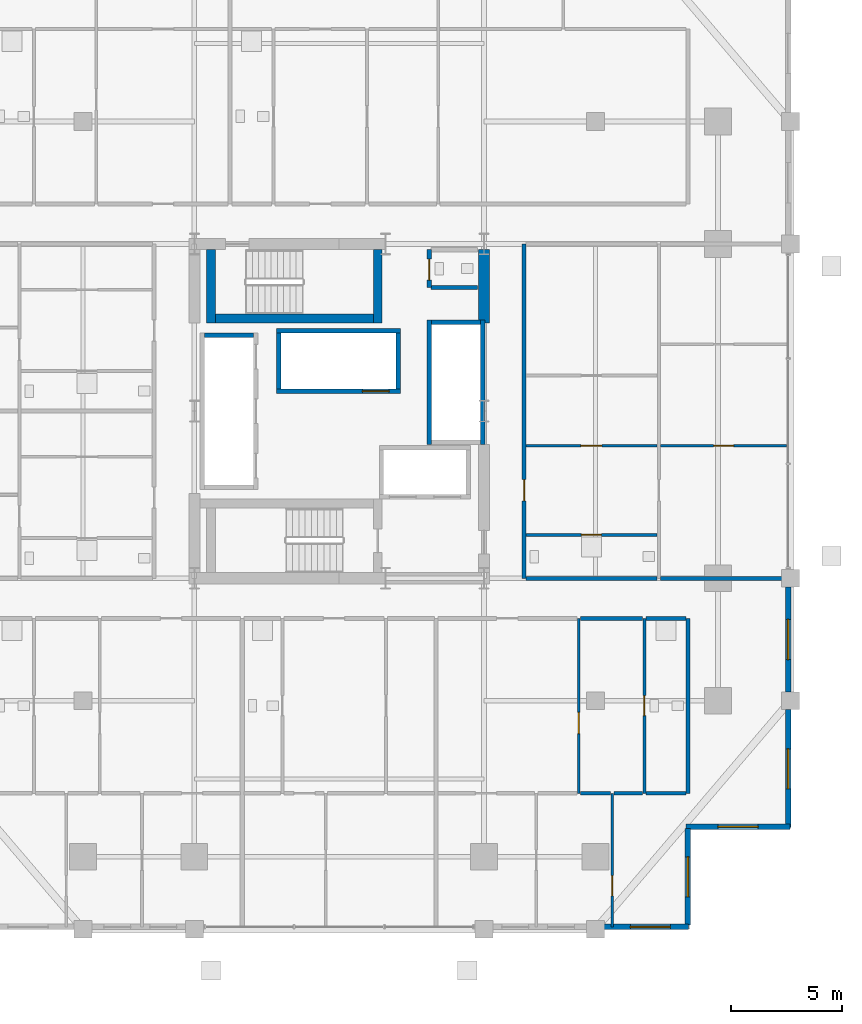
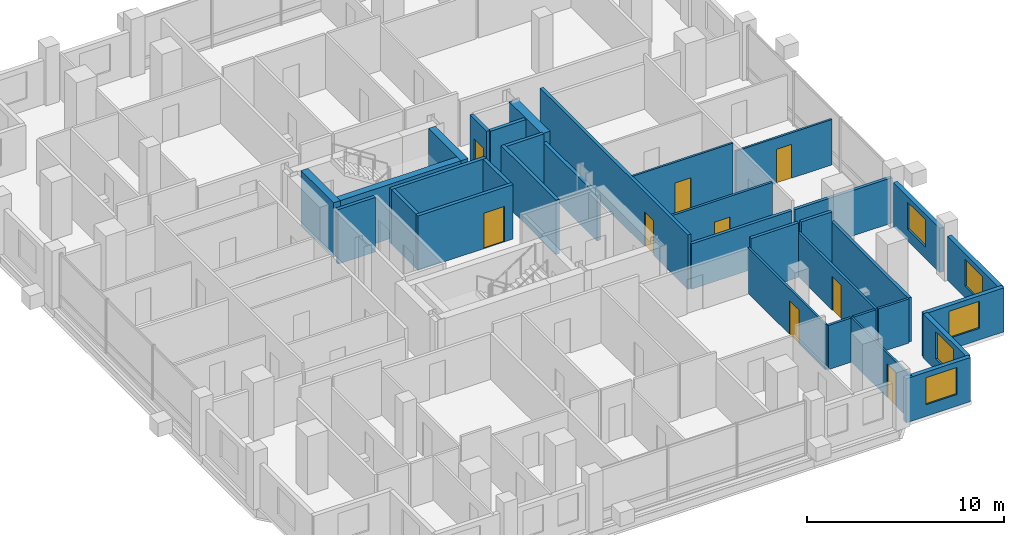
# One storey, part 16 of 20: 34 walls, 9 doors, 5 windows, 14 openings.
"""IFC4 building model written with IfcOpenShell, lengths in metres."""

from ifc_helpers import new_model, si_unit, direction, frame, frame_2d, origin, place, context, subcontext, project, spatial, rectangle, extrude, material, layer, layer_set, type_object, element, fill, save


model = new_model("IFC4")

# Units and contexts
model_context = context("Model", 3, precision=1e-05, world=origin(), true_north=direction((0.0, 1.0)))
body_context = subcontext(model_context, "Body", "Model", "MODEL_VIEW")
ifc_project = project(units=[si_unit("LENGTHUNIT", "METRE"), si_unit("AREAUNIT", "SQUARE_METRE"), si_unit("VOLUMEUNIT", "CUBIC_METRE"), si_unit("PLANEANGLEUNIT", "RADIAN"), si_unit("MASSUNIT", "GRAM", prefix="KILO")], contexts=[model_context])

# Site, building, storey
site_placement = place(None, origin())
site = spatial("IfcSite", under=ifc_project, at=site_placement, CompositionType="ELEMENT")
building_placement = place(site_placement, origin())
building = spatial("IfcBuilding", under=site, at=building_placement, Name="Barlavira Tower and Art Museum", CompositionType="ELEMENT")
storey_placement = place(building_placement, frame((0.0, 0.0, 102.60009765625)))
storey = spatial("IfcBuildingStorey", under=building, at=storey_placement, Name="L25", CompositionType="ELEMENT", Elevation=102.60009765625)

# Wall, opening, door
ifc_material_1 = material(Name="Gypsum acoustic stud partition", Category="gypsum")
ifc_layer_1 = layer(ifc_material_1, 0.1201171875, Name="Gypsum acoustic stud partition")
ifc_layer_set_1 = layer_set([ifc_layer_1], Name="Gypsum acoustic stud partition")
wall_type_1 = type_object("IfcWallType", Name="Apartment Internal Acoustic Partition 120", PredefinedType="PARTITIONING", material=ifc_layer_set_1)
wall_1_placement = place(storey_placement, frame((10.75, -17.14990234375, 0.0), z_axis=(0.0, 0.0, 1.0), x_axis=(0.0, 1.0, 0.0)))
wall_1 = element("IfcWall", 1, at=wall_1_placement, inside=storey, type_object=wall_type_1, Name="L25 Partition Wall 24", PredefinedType="PARTITIONING", context=body_context, shape_type="SweptSolid", body=[
    extrude(rectangle(XDim=7.849853515625, YDim=0.1201171875, at=frame_2d((3.9248046875, 0.0))), origin(), (0.0, 0.0, 1.0), 2.81591796875),
])
opening_1_placement = place(wall_1_placement, frame((2.681396484375, 0.0, 0.0)))
opening_1 = element("IfcOpeningElement", 2, at=opening_1_placement, cuts=wall_1, Name="Opening D-02", PredefinedType="OPENING", context=body_context, shape_type="SweptSolid", body=[
    extrude(rectangle(XDim=0.949951171875, YDim=2.10009765625, at=frame_2d((0.47509765625, 1.050048828125))), frame((0.0, 0.070068359375, 0.0), z_axis=(0.0, -1.0, 0.0), x_axis=(1.0, 0.0, 0.0)), (0.0, 0.0, 1.0), 0.14013671875),
])
ifc_material_2 = material(Name="Engineered coastal hardwood", Category="wood")
door_type_1 = type_object("IfcDoorType", Name="Living and Salon Glazed-Leaf Door 950x2100", OperationType="NOTDEFINED", PredefinedType="DOOR", material=ifc_material_2)
door_1_placement = place(opening_1_placement, origin())
door_1 = element("IfcDoor", 3, at=door_1_placement, inside=storey, type_object=door_type_1, Name="Apartment S3 Kitchen Door", OperationType="SINGLE_SWING_LEFT", OverallHeight=2.10009765625, OverallWidth=0.949951171875, PredefinedType="DOOR", context=body_context, shape_type="SweptSolid", body=[
    extrude(rectangle(XDim=0.949951171875, YDim=2.10009765625, at=frame_2d((0.47509765625, 1.050048828125))), frame((0.0, 0.02490234375, 0.0), z_axis=(0.0, -1.0, 0.0), x_axis=(1.0, 0.0, 0.0)), (0.0, 0.0, 1.0), 0.050048828125),
])
fill(opening_1, door_1)

wall_2_placement = place(storey_placement, frame((12.25, -23.14990234375, 0.0), z_axis=(0.0, 0.0, 1.0), x_axis=(0.0, 1.0, 0.0)))
wall_2 = element("IfcWall", 4, at=wall_2_placement, inside=storey, type_object=wall_type_1, Name="L25 Partition Wall 25", PredefinedType="PARTITIONING", context=body_context, shape_type="SweptSolid", body=[
    extrude(rectangle(XDim=6.0, YDim=0.1201171875, at=frame_2d((3.0, 0.0))), origin(), (0.0, 0.0, 1.0), 2.73583984375),
])
opening_2_placement = place(wall_2_placement, frame((1.39892578125, 0.0, 0.0)))
opening_2 = element("IfcOpeningElement", 5, at=opening_2_placement, cuts=wall_2, Name="Opening D-01", PredefinedType="OPENING", context=body_context, shape_type="SweptSolid", body=[
    extrude(rectangle(XDim=0.89990234375, YDim=2.10009765625, at=frame_2d((0.449951171875, 1.050048828125))), frame((0.0, 0.070068359375, 0.0), z_axis=(0.0, -1.0, 0.0), x_axis=(1.0, 0.0, 0.0)), (0.0, 0.0, 1.0), 0.14013671875),
])
door_type_2 = type_object("IfcDoorType", Name="Internal Bedroom Timber Flush Door 900x2100", OperationType="NOTDEFINED", PredefinedType="DOOR", material=ifc_material_2)
door_2_placement = place(opening_2_placement, origin())
door_2 = element("IfcDoor", 6, at=door_2_placement, inside=storey, type_object=door_type_2, Name="Apartment S3 Bedroom 2 Door", OperationType="SINGLE_SWING_LEFT", OverallHeight=2.10009765625, OverallWidth=0.89990234375, PredefinedType="DOOR", context=body_context, shape_type="SweptSolid", body=[
    extrude(rectangle(XDim=0.89990234375, YDim=2.10009765625, at=frame_2d((0.449951171875, 1.050048828125))), frame((0.0, 0.02490234375, 0.0), z_axis=(0.0, -1.0, 0.0), x_axis=(1.0, 0.0, 0.0)), (0.0, 0.0, 1.0), 0.050048828125),
])
fill(opening_2, door_2)

wall_3_placement = place(storey_placement, frame((8.3798828125, -1.550048828125, 0.0), z_axis=(0.0, 0.0, 1.0), x_axis=(1.0, 0.0, 0.0)))
wall_3 = element("IfcWall", 7, at=wall_3_placement, inside=storey, type_object=wall_type_1, Name="L25 Partition Wall 61", PredefinedType="PARTITIONING", context=body_context, shape_type="SweptSolid", body=[
    extrude(rectangle(XDim=5.89013671875, YDim=0.1201171875, at=frame_2d((2.945068359375, 0.0))), origin(), (0.0, 0.0, 1.0), 3.3798828125),
])
opening_3_placement = place(wall_3_placement, frame((2.465087890625, 0.0, 0.0)))
opening_3 = element("IfcOpeningElement", 8, at=opening_3_placement, cuts=wall_3, Name="Opening D-02", PredefinedType="OPENING", context=body_context, shape_type="SweptSolid", body=[
    extrude(rectangle(XDim=0.949951171875, YDim=2.10009765625, at=frame_2d((0.47509765625, 1.050048828125))), frame((0.0, 0.070068359375, 0.0), z_axis=(0.0, -1.0, 0.0), x_axis=(1.0, 0.0, 0.0)), (0.0, 0.0, 1.0), 0.14013671875),
])
door_3_placement = place(opening_3_placement, origin())
door_3 = element("IfcDoor", 9, at=door_3_placement, inside=storey, type_object=door_type_1, Name="Apartment E1 Kitchen Door", OperationType="SINGLE_SWING_RIGHT", OverallHeight=2.10009765625, OverallWidth=0.949951171875, PredefinedType="DOOR", context=body_context, shape_type="SweptSolid", body=[
    extrude(rectangle(XDim=0.949951171875, YDim=2.10009765625, at=frame_2d((0.47509765625, 1.050048828125))), frame((0.0, 0.02490234375, 0.0), z_axis=(0.0, -1.0, 0.0), x_axis=(1.0, 0.0, 0.0)), (0.0, 0.0, 1.0), 0.050048828125),
])
fill(opening_3, door_3)

wall_4_placement = place(storey_placement, frame((14.429931640625, -1.550048828125, 0.0), z_axis=(0.0, 0.0, 1.0), x_axis=(1.0, 0.0, 0.0)))
wall_4 = element("IfcWall", 10, at=wall_4_placement, inside=storey, type_object=wall_type_1, Name="L25 Partition Wall 62", PredefinedType="PARTITIONING", context=body_context, shape_type="SweptSolid", body=[
    extrude(rectangle(XDim=5.64013671875, YDim=0.1201171875, at=frame_2d((2.820068359375, 0.0))), origin(), (0.0, 0.0, 1.0), 2.81591796875),
])
opening_4_placement = place(wall_4_placement, frame((2.3701171875, 0.0, 0.0)))
opening_4 = element("IfcOpeningElement", 11, at=opening_4_placement, cuts=wall_4, Name="Opening D-01", PredefinedType="OPENING", context=body_context, shape_type="SweptSolid", body=[
    extrude(rectangle(XDim=0.89990234375, YDim=2.10009765625, at=frame_2d((0.449951171875, 1.050048828125))), frame((0.0, 0.070068359375, 0.0), z_axis=(0.0, -1.0, 0.0), x_axis=(1.0, 0.0, 0.0)), (0.0, 0.0, 1.0), 0.14013671875),
])
door_4_placement = place(opening_4_placement, origin())
door_4 = element("IfcDoor", 12, at=door_4_placement, inside=storey, type_object=door_type_2, Name="Apartment E1 Bedroom 1 Door", OperationType="SINGLE_SWING_LEFT", OverallHeight=2.10009765625, OverallWidth=0.89990234375, PredefinedType="DOOR", context=body_context, shape_type="SweptSolid", body=[
    extrude(rectangle(XDim=0.89990234375, YDim=2.10009765625, at=frame_2d((0.449951171875, 1.050048828125))), frame((0.0, 0.02490234375, 0.0), z_axis=(0.0, -1.0, 0.0), x_axis=(1.0, 0.0, 0.0)), (0.0, 0.0, 1.0), 0.050048828125),
])
fill(opening_4, door_4)

# Walls
ifc_material_3 = material(Name="Concrete C60", Category="concrete")
ifc_layer_2 = layer(ifc_material_3, 0.5, Name="Concrete C60")
ifc_layer_set_2 = layer_set([ifc_layer_2], Name="Concrete C60")
wall_type_2 = type_object("IfcWallType", Name="Core Structural Shear Wall 500 Concrete C60", PredefinedType="SHEAR", material=ifc_layer_set_2)
wall_5_placement = place(storey_placement, frame((6.5, 3.949951171875, 0.0), z_axis=(0.0, 0.0, 1.0), x_axis=(0.0, 1.0, 0.0)))
element("IfcWall", 13, at=wall_5_placement, inside=storey, type_object=wall_type_2, Name="L25 Core Shear Wall CS-E2", PredefinedType="SHEAR", context=body_context, shape_type="SweptSolid", body=[
    extrude(rectangle(XDim=3.300048828125, YDim=0.5, at=frame_2d((1.64990234375, 0.0))), origin(), (0.0, 0.0, 1.0), 3.3798828125),
])
ifc_material_4 = material(Name="Autoclaved aerated concrete masonry", Category="masonry")
ifc_layer_3 = layer(ifc_material_4, 0.199951171875, Name="Autoclaved aerated concrete masonry")
ifc_layer_set_3 = layer_set([ifc_layer_3], Name="Autoclaved aerated concrete masonry")
wall_type_3 = type_object("IfcWallType", Name="Fire Compartment and Shaft Wall 200", PredefinedType="SOLIDWALL", material=ifc_layer_set_3)
wall_6_placement = place(storey_placement, frame((-6.050048828125, 3.409912109375, 0.0), z_axis=(0.0, 0.0, 1.0), x_axis=(1.0, 0.0, 0.0)))
element("IfcWall", 14, at=wall_6_placement, inside=storey, type_object=wall_type_3, Name="L25 Low-Rise Lift North Shaft Wall", PredefinedType="SOLIDWALL", context=body_context, shape_type="SweptSolid", body=[
    extrude(rectangle(XDim=2.199951171875, YDim=0.199951171875, at=frame_2d((1.10009765625, 0.0))), origin(), (0.0, 0.0, 1.0), 3.3798828125),
])
wall_7_placement = place(storey_placement, frame((4.050048828125, -1.489990234375, 0.0), z_axis=(0.0, 0.0, 1.0), x_axis=(0.0, 1.0, 0.0)))
element("IfcWall", 15, at=wall_7_placement, inside=storey, type_object=wall_type_3, Name="L25 Mid-Rise Lift Front Shaft Wall", PredefinedType="SOLIDWALL", context=body_context, shape_type="SweptSolid", body=[
    extrude(rectangle(XDim=5.580078125, YDim=0.199951171875, at=frame_2d((2.7900390625, 0.0))), origin(), (0.0, 0.0, 1.0), 3.3798828125),
])
wall_8_placement = place(storey_placement, frame((6.449951171875, -1.489990234375, 0.0), z_axis=(0.0, 0.0, 1.0), x_axis=(0.0, 1.0, 0.0)))
element("IfcWall", 16, at=wall_8_placement, inside=storey, type_object=wall_type_3, Name="L25 Mid-Rise Lift Back Shaft Wall", PredefinedType="SOLIDWALL", context=body_context, shape_type="SweptSolid", body=[
    extrude(rectangle(XDim=5.580078125, YDim=0.199951171875, at=frame_2d((2.7900390625, 0.0))), origin(), (0.0, 0.0, 1.0), 2.81591796875),
])
wall_9_placement = place(storey_placement, frame((4.14990234375, 3.989990234375, 0.0), z_axis=(0.0, 0.0, 1.0), x_axis=(1.0, 0.0, 0.0)))
element("IfcWall", 17, at=wall_9_placement, inside=storey, type_object=wall_type_3, Name="L25 Mid-Rise Lift North Shaft Wall", PredefinedType="SOLIDWALL", context=body_context, shape_type="SweptSolid", body=[
    extrude(rectangle(XDim=2.2001953125, YDim=0.199951171875, at=frame_2d((1.10009765625, 0.0))), origin(), (0.0, 0.0, 1.0), 3.3798828125),
])

# Wall, opening, door
wall_10_placement = place(storey_placement, frame((-2.820068359375, 0.89990234375, 0.0), z_axis=(0.0, 0.0, 1.0), x_axis=(1.0, 0.0, 0.0)))
wall_10 = element("IfcWall", 18, at=wall_10_placement, inside=storey, type_object=wall_type_3, Name="L25 High-Rise & Service Lift Front Wall", PredefinedType="SOLIDWALL", context=body_context, shape_type="SweptSolid", body=[
    extrude(rectangle(XDim=5.580078125, YDim=0.199951171875, at=frame_2d((2.7900390625, 0.0))), origin(), (0.0, 0.0, 1.0), 3.3798828125),
])
opening_5_placement = place(wall_10_placement, frame((3.860107421875, 0.0, 0.0)))
opening_5 = element("IfcOpeningElement", 19, at=opening_5_placement, cuts=wall_10, Name="Opening LD-F", PredefinedType="OPENING", context=body_context, shape_type="SweptSolid", body=[
    extrude(rectangle(XDim=1.199951171875, YDim=2.199951171875, at=frame_2d((0.60009765625, 1.10009765625))), frame((0.0, 0.10986328125, 0.0), z_axis=(0.0, -1.0, 0.0), x_axis=(1.0, 0.0, 0.0)), (0.0, 0.0, 1.0), 0.219970703125),
])
ifc_material_5 = material(Name="Brushed stainless steel", Category="steel")
door_type_3 = type_object("IfcDoorType", Name="Firefighting and Service Lift Sliding Door 1200x2200 FD120", OperationType="NOTDEFINED", PredefinedType="DOOR", material=ifc_material_5)
door_5_placement = place(opening_5_placement, origin())
door_5 = element("IfcDoor", 20, at=door_5_placement, inside=storey, type_object=door_type_3, Name="L25 Stretcher Service Lift SL1 Sliding Door", OperationType="DOUBLE_DOOR_SLIDING", OverallHeight=2.199951171875, OverallWidth=1.199951171875, PredefinedType="DOOR", context=body_context, shape_type="SweptSolid", body=[
    extrude(rectangle(XDim=1.199951171875, YDim=2.199951171875, at=frame_2d((0.60009765625, 1.10009765625))), frame((0.0, 0.02490234375, 0.0), z_axis=(0.0, -1.0, 0.0), x_axis=(1.0, 0.0, 0.0)), (0.0, 0.0, 1.0), 0.050048828125),
])
fill(opening_5, door_5)

# Walls
wall_11_placement = place(storey_placement, frame((-2.820068359375, 3.60009765625, 0.0), z_axis=(0.0, 0.0, 1.0), x_axis=(1.0, 0.0, 0.0)))
element("IfcWall", 21, at=wall_11_placement, inside=storey, type_object=wall_type_3, Name="L25 High-Rise & Service Lift Back Wall", PredefinedType="SOLIDWALL", context=body_context, shape_type="SweptSolid", body=[
    extrude(rectangle(XDim=5.580078125, YDim=0.199951171875, at=frame_2d((2.7900390625, 0.0))), origin(), (0.0, 0.0, 1.0), 3.3798828125),
])
for number, where, z_axis, x_axis, name in (
    (22, (-2.719970703125, 1.0, 0.0), (0.0, 0.0, 1.0), (0.0, 1.0, 0.0), "L25 High-Rise & Service Lift West Wall"),
    (23, (2.659912109375, 1.0, 0.0), (0.0, 0.0, 1.0), (0.0, 1.0, 0.0), "L25 High-Rise & Service Lift East Wall"),
):
    element("IfcWall", number, at=place(storey_placement, frame(where, z_axis=z_axis, x_axis=x_axis)), inside=storey, type_object=wall_type_3, Name=name, PredefinedType="SOLIDWALL", context=body_context, shape_type="SweptSolid", body=[
        extrude(rectangle(XDim=2.5, YDim=0.199951171875, at=frame_2d((1.25, 0.0))), origin(), (0.0, 0.0, 1.0), 3.3798828125),
    ])

# Wall, opening, door
wall_12_placement = place(storey_placement, frame((4.050048828125, 5.550048828125, 0.0), z_axis=(0.0, 0.0, 1.0), x_axis=(0.0, 1.0, 0.0)))
wall_12 = element("IfcWall", 24, at=wall_12_placement, inside=storey, type_object=wall_type_3, Name="L25 Partition Wall 18", PredefinedType="SOLIDWALL", context=body_context, shape_type="SweptSolid", body=[
    extrude(rectangle(XDim=1.699951171875, YDim=0.199951171875, at=frame_2d((0.85009765625, 0.0))), origin(), (0.0, 0.0, 1.0), 3.3798828125),
])
opening_6_placement = place(wall_12_placement, frame((0.324951171875, 0.0, 0.0)))
opening_6 = element("IfcOpeningElement", 25, at=opening_6_placement, cuts=wall_12, Name="Opening FD-60", PredefinedType="OPENING", context=body_context, shape_type="SweptSolid", body=[
    extrude(rectangle(XDim=0.949951171875, YDim=2.14990234375, at=frame_2d((0.47509765625, 1.074951171875))), frame((0.0, 0.10986328125, 0.0), z_axis=(0.0, -1.0, 0.0), x_axis=(1.0, 0.0, 0.0)), (0.0, 0.0, 1.0), 0.219970703125),
])
door_type_4 = type_object("IfcDoorType", Name="Apartment Entrance and Riser Fire Door 950x2150 FD60S", OperationType="NOTDEFINED", PredefinedType="DOOR", material=ifc_material_5)
door_6_placement = place(opening_6_placement, origin())
door_6 = element("IfcDoor", 26, at=door_6_placement, inside=storey, type_object=door_type_4, Name="Core Accessible Washroom Door", OperationType="SINGLE_SWING_RIGHT", OverallHeight=2.14990234375, OverallWidth=0.949951171875, PredefinedType="DOOR", context=body_context, shape_type="SweptSolid", body=[
    extrude(rectangle(XDim=0.949951171875, YDim=2.14990234375, at=frame_2d((0.47509765625, 1.074951171875))), frame((0.0, 0.02490234375, 0.0), z_axis=(0.0, -1.0, 0.0), x_axis=(1.0, 0.0, 0.0)), (0.0, 0.0, 1.0), 0.050048828125),
])
fill(opening_6, door_6)

# Wall
wall_13_placement = place(storey_placement, frame((4.1298828125, 5.550048828125, 0.0), z_axis=(0.0, 0.0, 1.0), x_axis=(1.0, 0.0, 0.0)))
element("IfcWall", 27, at=wall_13_placement, inside=storey, type_object=wall_type_3, Name="L25 Partition Wall 70", PredefinedType="SOLIDWALL", context=body_context, shape_type="SweptSolid", body=[
    extrude(rectangle(XDim=2.070068359375, YDim=0.199951171875, at=frame_2d((1.03515625, 0.0))), origin(), (0.0, 0.0, 1.0), 3.3798828125),
])

# Wall, opening, door
ifc_layer_4 = layer(ifc_material_1, 0.179931640625, Name="Gypsum acoustic stud partition")
ifc_layer_set_4 = layer_set([ifc_layer_4], Name="Gypsum acoustic stud partition")
wall_type_4 = type_object("IfcWallType", Name="Inter-Tenancy Party Partition Wall 180", PredefinedType="PARTITIONING", material=ifc_layer_set_4)
wall_14_placement = place(storey_placement, frame((8.300048828125, -7.5, 0.0), z_axis=(0.0, 0.0, 1.0), x_axis=(0.0, 1.0, 0.0)))
wall_14 = element("IfcWall", 28, at=wall_14_placement, inside=storey, type_object=wall_type_4, Name="L25 Partition Wall 21", PredefinedType="PARTITIONING", context=body_context, shape_type="SweptSolid", body=[
    extrude(rectangle(XDim=15.0, YDim=0.179931640625, at=frame_2d((7.5, 0.0))), origin(), (0.0, 0.0, 1.0), 3.3798828125),
])
opening_7_placement = place(wall_14_placement, frame((3.47509765625, 0.0, 0.0)))
opening_7 = element("IfcOpeningElement", 29, at=opening_7_placement, cuts=wall_14, Name="Opening FD-60", PredefinedType="OPENING", context=body_context, shape_type="SweptSolid", body=[
    extrude(rectangle(XDim=0.949951171875, YDim=2.14990234375, at=frame_2d((0.47509765625, 1.074951171875))), frame((0.0, 0.10009765625, 0.0), z_axis=(0.0, -1.0, 0.0), x_axis=(1.0, 0.0, 0.0)), (0.0, 0.0, 1.0), 0.199951171875),
])
door_7_placement = place(opening_7_placement, origin())
door_7 = element("IfcDoor", 30, at=door_7_placement, inside=storey, type_object=door_type_4, Name="Apartment Entrance Hall E1 Door", OperationType="SINGLE_SWING_LEFT", OverallHeight=2.14990234375, OverallWidth=0.949951171875, PredefinedType="DOOR", context=body_context, shape_type="SweptSolid", body=[
    extrude(rectangle(XDim=0.949951171875, YDim=2.14990234375, at=frame_2d((0.47509765625, 1.074951171875))), frame((0.0, 0.02490234375, 0.0), z_axis=(0.0, -1.0, 0.0), x_axis=(1.0, 0.0, 0.0)), (0.0, 0.0, 1.0), 0.050048828125),
])
fill(opening_7, door_7)

# Walls
wall_15_placement = place(storey_placement, frame((15.64990234375, -17.14990234375, 0.0), z_axis=(0.0, 0.0, 1.0), x_axis=(0.0, 1.0, 0.0)))
element("IfcWall", 31, at=wall_15_placement, inside=storey, type_object=wall_type_4, Name="L25 Partition Wall 28", PredefinedType="PARTITIONING", context=body_context, shape_type="SweptSolid", body=[
    extrude(rectangle(XDim=7.849853515625, YDim=0.179931640625, at=frame_2d((3.9248046875, 0.0))), origin(), (0.0, 0.0, 1.0), 2.73583984375),
])
wall_16_placement = place(storey_placement, frame((10.830078125, -9.300048828125, 0.0), z_axis=(0.0, 0.0, 1.0), x_axis=(1.0, 0.0, 0.0)))
element("IfcWall", 32, at=wall_16_placement, inside=storey, type_object=wall_type_4, Name="L25 Partition Wall 51", PredefinedType="PARTITIONING", context=body_context, shape_type="SweptSolid", body=[
    extrude(rectangle(XDim=2.7900390625, YDim=0.179931640625, at=frame_2d((1.39501953125, 0.0))), origin(), (0.0, 0.0, 1.0), 3.3798828125),
])
wall_17_placement = place(storey_placement, frame((13.780029296875, -9.300048828125, 0.0), z_axis=(0.0, 0.0, 1.0), x_axis=(1.0, 0.0, 0.0)))
element("IfcWall", 33, at=wall_17_placement, inside=storey, type_object=wall_type_4, Name="L25 Partition Wall 52", PredefinedType="PARTITIONING", context=body_context, shape_type="SweptSolid", body=[
    extrude(rectangle(XDim=1.7900390625, YDim=0.179931640625, at=frame_2d((0.89501953125, 0.0))), origin(), (0.0, 0.0, 1.0), 3.3798828125),
])
wall_18_placement = place(storey_placement, frame((8.3798828125, -7.5, 0.0), z_axis=(0.0, 0.0, 1.0), x_axis=(1.0, 0.0, 0.0)))
element("IfcWall", 34, at=wall_18_placement, inside=storey, type_object=wall_type_4, Name="L25 Partition Wall 55", PredefinedType="PARTITIONING", context=body_context, shape_type="SweptSolid", body=[
    extrude(rectangle(XDim=5.89013671875, YDim=0.179931640625, at=frame_2d((2.945068359375, 0.0))), origin(), (0.0, 0.0, 1.0), 2.81591796875),
])
wall_19_placement = place(storey_placement, frame((14.429931640625, -7.5, 0.0), z_axis=(0.0, 0.0, 1.0), x_axis=(1.0, 0.0, 0.0)))
element("IfcWall", 35, at=wall_19_placement, inside=storey, type_object=wall_type_4, Name="L25 Partition Wall 56", PredefinedType="PARTITIONING", context=body_context, shape_type="SweptSolid", body=[
    extrude(rectangle(XDim=5.719970703125, YDim=0.179931640625, at=frame_2d((2.85986328125, 0.0))), origin(), (0.0, 0.0, 1.0), 2.81591796875),
])

# Wall, opening, door
ifc_layer_5 = layer(ifc_material_1, 0.139892578125, Name="Gypsum acoustic stud partition")
ifc_layer_set_5 = layer_set([ifc_layer_5], Name="Gypsum acoustic stud partition")
wall_type_5 = type_object("IfcWallType", Name="Moisture-Resistant Bathroom Partition 140", PredefinedType="PARTITIONING", material=ifc_layer_set_5)
wall_20_placement = place(storey_placement, frame((13.699951171875, -17.14990234375, 0.0), z_axis=(0.0, 0.0, 1.0), x_axis=(0.0, 1.0, 0.0)))
wall_20 = element("IfcWall", 36, at=wall_20_placement, inside=storey, type_object=wall_type_5, Name="L25 Partition Wall 26", PredefinedType="PARTITIONING", context=body_context, shape_type="SweptSolid", body=[
    extrude(rectangle(XDim=7.849853515625, YDim=0.139892578125, at=frame_2d((3.9248046875, 0.0))), origin(), (0.0, 0.0, 1.0), 2.73583984375),
])
opening_8_placement = place(wall_20_placement, frame((3.47998046875, 0.0, 0.0)))
opening_8 = element("IfcOpeningElement", 37, at=opening_8_placement, cuts=wall_20, Name="Opening D-WC", PredefinedType="OPENING", context=body_context, shape_type="SweptSolid", body=[
    extrude(rectangle(XDim=0.89990234375, YDim=2.10009765625, at=frame_2d((0.449951171875, 1.050048828125))), frame((0.0, 0.080078125, 0.0), z_axis=(0.0, -1.0, 0.0), x_axis=(1.0, 0.0, 0.0)), (0.0, 0.0, 1.0), 0.159912109375),
])
door_type_5 = type_object("IfcDoorType", Name="Accessible Bathroom Flush Door 900x2100", OperationType="NOTDEFINED", PredefinedType="DOOR", material=ifc_material_2)
door_8_placement = place(opening_8_placement, origin())
door_8 = element("IfcDoor", 38, at=door_8_placement, inside=storey, type_object=door_type_5, Name="Apartment S3 Hall Bathroom Door", OperationType="SINGLE_SWING_RIGHT", OverallHeight=2.10009765625, OverallWidth=0.89990234375, PredefinedType="DOOR", context=body_context, shape_type="SweptSolid", body=[
    extrude(rectangle(XDim=0.89990234375, YDim=2.10009765625, at=frame_2d((0.449951171875, 1.050048828125))), frame((0.0, 0.02490234375, 0.0), z_axis=(0.0, -1.0, 0.0), x_axis=(1.0, 0.0, 0.0)), (0.0, 0.0, 1.0), 0.050048828125),
])
fill(opening_8, door_8)

# Walls
wall_21_placement = place(storey_placement, frame((10.830078125, -17.14990234375, 0.0), z_axis=(0.0, 0.0, 1.0), x_axis=(1.0, 0.0, 0.0)))
element("IfcWall", 39, at=wall_21_placement, inside=storey, type_object=wall_type_5, Name="L25 Partition Wall 41", PredefinedType="PARTITIONING", context=body_context, shape_type="SweptSolid", body=[
    extrude(rectangle(XDim=1.33984375, YDim=0.139892578125, at=frame_2d((0.669921875, 0.0))), origin(), (0.0, 0.0, 1.0), 2.73583984375),
])
wall_22_placement = place(storey_placement, frame((12.330078125, -17.14990234375, 0.0), z_axis=(0.0, 0.0, 1.0), x_axis=(1.0, 0.0, 0.0)))
element("IfcWall", 40, at=wall_22_placement, inside=storey, type_object=wall_type_5, Name="L25 Partition Wall 42", PredefinedType="PARTITIONING", context=body_context, shape_type="SweptSolid", body=[
    extrude(rectangle(XDim=1.2900390625, YDim=0.139892578125, at=frame_2d((0.64501953125, 0.0))), origin(), (0.0, 0.0, 1.0), 2.73583984375),
])
wall_23_placement = place(storey_placement, frame((13.780029296875, -17.14990234375, 0.0), z_axis=(0.0, 0.0, 1.0), x_axis=(1.0, 0.0, 0.0)))
element("IfcWall", 41, at=wall_23_placement, inside=storey, type_object=wall_type_5, Name="L25 Partition Wall 43", PredefinedType="PARTITIONING", context=body_context, shape_type="SweptSolid", body=[
    extrude(rectangle(XDim=1.7900390625, YDim=0.139892578125, at=frame_2d((0.89501953125, 0.0))), origin(), (0.0, 0.0, 1.0), 2.73583984375),
])

# Wall, opening, door
wall_24_placement = place(storey_placement, frame((8.3798828125, -5.550048828125, 0.0), z_axis=(0.0, 0.0, 1.0), x_axis=(1.0, 0.0, 0.0)))
wall_24 = element("IfcWall", 42, at=wall_24_placement, inside=storey, type_object=wall_type_5, Name="L25 Partition Wall 58", PredefinedType="PARTITIONING", context=body_context, shape_type="SweptSolid", body=[
    extrude(rectangle(XDim=5.89013671875, YDim=0.139892578125, at=frame_2d((2.945068359375, 0.0))), origin(), (0.0, 0.0, 1.0), 3.3798828125),
])
opening_9_placement = place(wall_24_placement, frame((2.489990234375, 0.0, 0.0)))
opening_9 = element("IfcOpeningElement", 43, at=opening_9_placement, cuts=wall_24, Name="Opening D-WC", PredefinedType="OPENING", context=body_context, shape_type="SweptSolid", body=[
    extrude(rectangle(XDim=0.89990234375, YDim=2.10009765625, at=frame_2d((0.449951171875, 1.050048828125))), frame((0.0, 0.080078125, 0.0), z_axis=(0.0, -1.0, 0.0), x_axis=(1.0, 0.0, 0.0)), (0.0, 0.0, 1.0), 0.159912109375),
])
door_9_placement = place(opening_9_placement, origin())
door_9 = element("IfcDoor", 44, at=door_9_placement, inside=storey, type_object=door_type_5, Name="Apartment E1 Hall Bathroom Door", OperationType="SINGLE_SWING_RIGHT", OverallHeight=2.10009765625, OverallWidth=0.89990234375, PredefinedType="DOOR", context=body_context, shape_type="SweptSolid", body=[
    extrude(rectangle(XDim=0.89990234375, YDim=2.10009765625, at=frame_2d((0.449951171875, 1.050048828125))), frame((0.0, 0.02490234375, 0.0), z_axis=(0.0, -1.0, 0.0), x_axis=(1.0, 0.0, 0.0)), (0.0, 0.0, 1.0), 0.050048828125),
])
fill(opening_9, door_9)

# Wall, opening, window
ifc_material_6 = material(Name="Precast concrete C40", Category="concrete")
ifc_layer_6 = layer(ifc_material_6, 0.25, Name="Precast concrete C40")
ifc_layer_set_6 = layer_set([ifc_layer_6], Name="Precast concrete C40")
wall_type_6 = type_object("IfcWallType", Name="Notched Corner Spandrel Wall 250 Precast Concrete C40", PredefinedType="SOLIDWALL", material=ifc_layer_set_6)
wall_25_placement = place(storey_placement, frame((11.89501953125, -23.14990234375, 0.0), z_axis=(0.0, 0.0, 1.0), x_axis=(1.0, 0.0, 0.0)))
wall_25 = element("IfcWall", 45, at=wall_25_placement, inside=storey, type_object=wall_type_6, Name="L25 Coastal Facade Pier Wall CW2-L25-S-5", PredefinedType="SOLIDWALL", context=body_context, shape_type="SweptSolid", body=[
    extrude(rectangle(XDim=3.780029296875, YDim=0.25, at=frame_2d((1.89013671875, 0.0))), origin(), (0.0, 0.0, 1.0), 2.73583984375),
])
opening_10_placement = place(wall_25_placement, frame((1.173095703125, 0.0, 0.719970703125)))
opening_10 = element("IfcOpeningElement", 46, at=opening_10_placement, cuts=wall_25, Name="Opening WN-01", PredefinedType="OPENING", context=body_context, shape_type="SweptSolid", body=[
    extrude(rectangle(XDim=1.800048828125, YDim=1.679931640625, at=frame_2d((0.89990234375, 0.83984375))), frame((0.0, 0.135009765625, 0.0), z_axis=(0.0, -1.0, 0.0), x_axis=(1.0, 0.0, 0.0)), (0.0, 0.0, 1.0), 0.27001953125),
])
ifc_material_7 = material(Name="Low-iron coastal laminated glass", Category="glass")
window_type = type_object("IfcWindowType", Name="Recessed Notch Corner Punch Window 1800x1680", PartitioningType="SINGLE_PANEL", PredefinedType="WINDOW", material=ifc_material_7)
window_1_placement = place(opening_10_placement, origin())
window_1 = element("IfcWindow", 47, at=window_1_placement, inside=storey, type_object=window_type, Name="L25 Punched Facade Window EWP-CW2-L25-S-5-1", OverallHeight=1.679931640625, OverallWidth=1.800048828125, PartitioningType="SINGLE_PANEL", PredefinedType="WINDOW", context=body_context, shape_type="SweptSolid", body=[
    extrude(rectangle(XDim=1.800048828125, YDim=1.679931640625, at=frame_2d((0.89990234375, 0.83984375))), frame((0.0, 0.030029296875, 0.0), z_axis=(0.0, -1.0, 0.0), x_axis=(1.0, 0.0, 0.0)), (0.0, 0.0, 1.0), 0.06005859375),
])
fill(opening_10, window_1)

wall_26_placement = place(storey_placement, frame((20.14990234375, -18.675048828125, 0.0), z_axis=(0.0, 0.0, 1.0), x_axis=(0.0, 1.0, 0.0)))
wall_26 = element("IfcWall", 48, at=wall_26_placement, inside=storey, type_object=wall_type_6, Name="L25 Coastal Facade Pier Wall CW2-L25-E-1", PredefinedType="SOLIDWALL", context=body_context, shape_type="SweptSolid", body=[
    extrude(rectangle(XDim=5.280029296875, YDim=0.25, at=frame_2d((2.64013671875, 0.0))), origin(), (0.0, 0.0, 1.0), 2.73583984375),
])
opening_11_placement = place(wall_26_placement, frame((1.718017578125, 0.0, 0.719970703125)))
opening_11 = element("IfcOpeningElement", 49, at=opening_11_placement, cuts=wall_26, Name="Opening WN-01", PredefinedType="OPENING", context=body_context, shape_type="SweptSolid", body=[
    extrude(rectangle(XDim=1.800048828125, YDim=1.679931640625, at=frame_2d((0.89990234375, 0.83984375))), frame((0.0, 0.135009765625, 0.0), z_axis=(0.0, -1.0, 0.0), x_axis=(1.0, 0.0, 0.0)), (0.0, 0.0, 1.0), 0.27001953125),
])
window_2_placement = place(opening_11_placement, origin())
window_2 = element("IfcWindow", 50, at=window_2_placement, inside=storey, type_object=window_type, Name="L25 Punched Facade Window EWP-CW2-L25-E-1-1", OverallHeight=1.679931640625, OverallWidth=1.800048828125, PartitioningType="SINGLE_PANEL", PredefinedType="WINDOW", context=body_context, shape_type="SweptSolid", body=[
    extrude(rectangle(XDim=1.800048828125, YDim=1.679931640625, at=frame_2d((0.89990234375, 0.83984375))), frame((0.0, 0.030029296875, 0.0), z_axis=(0.0, -1.0, 0.0), x_axis=(1.0, 0.0, 0.0)), (0.0, 0.0, 1.0), 0.06005859375),
])
fill(opening_11, window_2)

wall_27_placement = place(storey_placement, frame((20.14990234375, -12.60498046875, 0.0), z_axis=(0.0, 0.0, 1.0), x_axis=(0.0, 1.0, 0.0)))
wall_27 = element("IfcWall", 51, at=wall_27_placement, inside=storey, type_object=wall_type_6, Name="L25 Coastal Facade Pier Wall CW2-L25-E-2", PredefinedType="SOLIDWALL", context=body_context, shape_type="SweptSolid", body=[
    extrude(rectangle(XDim=4.7099609375, YDim=0.25, at=frame_2d((2.35498046875, 0.0))), origin(), (0.0, 0.0, 1.0), 2.73583984375),
])
opening_12_placement = place(wall_27_placement, frame((1.455078125, 0.0, 0.719970703125)))
opening_12 = element("IfcOpeningElement", 52, at=opening_12_placement, cuts=wall_27, Name="Opening WN-01", PredefinedType="OPENING", context=body_context, shape_type="SweptSolid", body=[
    extrude(rectangle(XDim=1.800048828125, YDim=1.679931640625, at=frame_2d((0.89990234375, 0.83984375))), frame((0.0, 0.135009765625, 0.0), z_axis=(0.0, -1.0, 0.0), x_axis=(1.0, 0.0, 0.0)), (0.0, 0.0, 1.0), 0.27001953125),
])
window_3_placement = place(opening_12_placement, origin())
window_3 = element("IfcWindow", 53, at=window_3_placement, inside=storey, type_object=window_type, Name="L25 Punched Facade Window EWP-CW2-L25-E-2-1", OverallHeight=1.679931640625, OverallWidth=1.800048828125, PartitioningType="SINGLE_PANEL", PredefinedType="WINDOW", context=body_context, shape_type="SweptSolid", body=[
    extrude(rectangle(XDim=1.800048828125, YDim=1.679931640625, at=frame_2d((0.89990234375, 0.83984375))), frame((0.0, 0.030029296875, 0.0), z_axis=(0.0, -1.0, 0.0), x_axis=(1.0, 0.0, 0.0)), (0.0, 0.0, 1.0), 0.06005859375),
])
fill(opening_12, window_3)

wall_28_placement = place(storey_placement, frame((15.64990234375, -23.070068359375, 0.0), z_axis=(0.0, 0.0, 1.0), x_axis=(0.0, 1.0, 0.0)))
wall_28 = element("IfcWall", 54, at=wall_28_placement, inside=storey, type_object=wall_type_6, Name="L25 Notch Corner Wall SE1", PredefinedType="SOLIDWALL", context=body_context, shape_type="SweptSolid", body=[
    extrude(rectangle(XDim=4.340087890625, YDim=0.25, at=frame_2d((2.169921875, 0.0))), origin(), (0.0, 0.0, 1.0), 2.73583984375),
])
opening_13_placement = place(wall_28_placement, frame((1.27001953125, 0.0, 0.719970703125)))
opening_13 = element("IfcOpeningElement", 55, at=opening_13_placement, cuts=wall_28, Name="Opening WN-01", PredefinedType="OPENING", context=body_context, shape_type="SweptSolid", body=[
    extrude(rectangle(XDim=1.800048828125, YDim=1.679931640625, at=frame_2d((0.89990234375, 0.83984375))), frame((0.0, 0.135009765625, 0.0), z_axis=(0.0, -1.0, 0.0), x_axis=(1.0, 0.0, 0.0)), (0.0, 0.0, 1.0), 0.27001953125),
])
window_4_placement = place(opening_13_placement, origin())
window_4 = element("IfcWindow", 56, at=window_4_placement, inside=storey, type_object=window_type, Name="L25 Punched Facade Window EW-NTC-L25-SE1-1", OverallHeight=1.679931640625, OverallWidth=1.800048828125, PartitioningType="SINGLE_PANEL", PredefinedType="WINDOW", context=body_context, shape_type="SweptSolid", body=[
    extrude(rectangle(XDim=1.800048828125, YDim=1.679931640625, at=frame_2d((0.89990234375, 0.83984375))), frame((0.0, 0.030029296875, 0.0), z_axis=(0.0, -1.0, 0.0), x_axis=(1.0, 0.0, 0.0)), (0.0, 0.0, 1.0), 0.06005859375),
])
fill(opening_13, window_4)

wall_29_placement = place(storey_placement, frame((15.570068359375, -18.64990234375, 0.0), z_axis=(0.0, 0.0, 1.0), x_axis=(1.0, 0.0, 0.0)))
wall_29 = element("IfcWall", 57, at=wall_29_placement, inside=storey, type_object=wall_type_6, Name="L25 Notch Corner Wall SE2", PredefinedType="SOLIDWALL", context=body_context, shape_type="SweptSolid", body=[
    extrude(rectangle(XDim=4.659912109375, YDim=0.25, at=frame_2d((2.330078125, 0.0))), origin(), (0.0, 0.0, 1.0), 2.73583984375),
])
opening_14_placement = place(wall_29_placement, frame((1.429931640625, 0.0, 0.719970703125)))
opening_14 = element("IfcOpeningElement", 58, at=opening_14_placement, cuts=wall_29, Name="Opening WN-01", PredefinedType="OPENING", context=body_context, shape_type="SweptSolid", body=[
    extrude(rectangle(XDim=1.800048828125, YDim=1.679931640625, at=frame_2d((0.89990234375, 0.83984375))), frame((0.0, 0.135009765625, 0.0), z_axis=(0.0, -1.0, 0.0), x_axis=(1.0, 0.0, 0.0)), (0.0, 0.0, 1.0), 0.27001953125),
])
window_5_placement = place(opening_14_placement, origin())
window_5 = element("IfcWindow", 59, at=window_5_placement, inside=storey, type_object=window_type, Name="L25 Punched Facade Window EW-NTC-L25-SE2-1", OverallHeight=1.679931640625, OverallWidth=1.800048828125, PartitioningType="SINGLE_PANEL", PredefinedType="WINDOW", context=body_context, shape_type="SweptSolid", body=[
    extrude(rectangle(XDim=1.800048828125, YDim=1.679931640625, at=frame_2d((0.89990234375, 0.83984375))), frame((0.0, 0.030029296875, 0.0), z_axis=(0.0, -1.0, 0.0), x_axis=(1.0, 0.0, 0.0)), (0.0, 0.0, 1.0), 0.06005859375),
])
fill(opening_14, window_5)

# Walls
ifc_material_8 = material(Name="Concrete C55", Category="concrete")
ifc_layer_7 = layer(ifc_material_8, 0.39990234375, Name="Concrete C55")
ifc_layer_set_7 = layer_set([ifc_layer_7], Name="Concrete C55")
wall_type_7 = type_object("IfcWallType", Name="Upper Core Shear Wall 400 Concrete C55", PredefinedType="SHEAR", material=ifc_layer_set_7)
wall_30_placement = place(storey_placement, frame((-5.550048828125, 4.14990234375, 0.0), z_axis=(0.0, 0.0, 1.0), x_axis=(1.0, 0.0, 0.0)))
element("IfcWall", 60, at=wall_30_placement, inside=storey, type_object=wall_type_7, Name="L25 ST-T2 South Shaft Wall", PredefinedType="SHEAR", context=body_context, shape_type="SweptSolid", body=[
    extrude(rectangle(XDim=7.080078125, YDim=0.39990234375, at=frame_2d((3.5400390625, 0.0))), origin(), (0.0, 0.0, 1.0), 3.3798828125),
])
for number, where, z_axis, x_axis, name in (
    (61, (1.72998046875, 3.949951171875, 0.0), (0.0, 0.0, 1.0), (0.0, 1.0, 0.0), "L25 ST-T2 East Half-Landing Wall"),
    (62, (-5.75, 3.949951171875, 0.0), (0.0, 0.0, 1.0), (0.0, 1.0, 0.0), "L25 ST-T2 West Shaft Wall"),
):
    element("IfcWall", number, at=place(storey_placement, frame(where, z_axis=z_axis, x_axis=x_axis)), inside=storey, type_object=wall_type_7, Name=name, PredefinedType="SHEAR", context=body_context, shape_type="SweptSolid", body=[
        extrude(rectangle(XDim=3.300048828125, YDim=0.39990234375, at=frame_2d((1.64990234375, 0.0))), origin(), (0.0, 0.0, 1.0), 3.3798828125),
    ])

save(model, "model.ifc")
